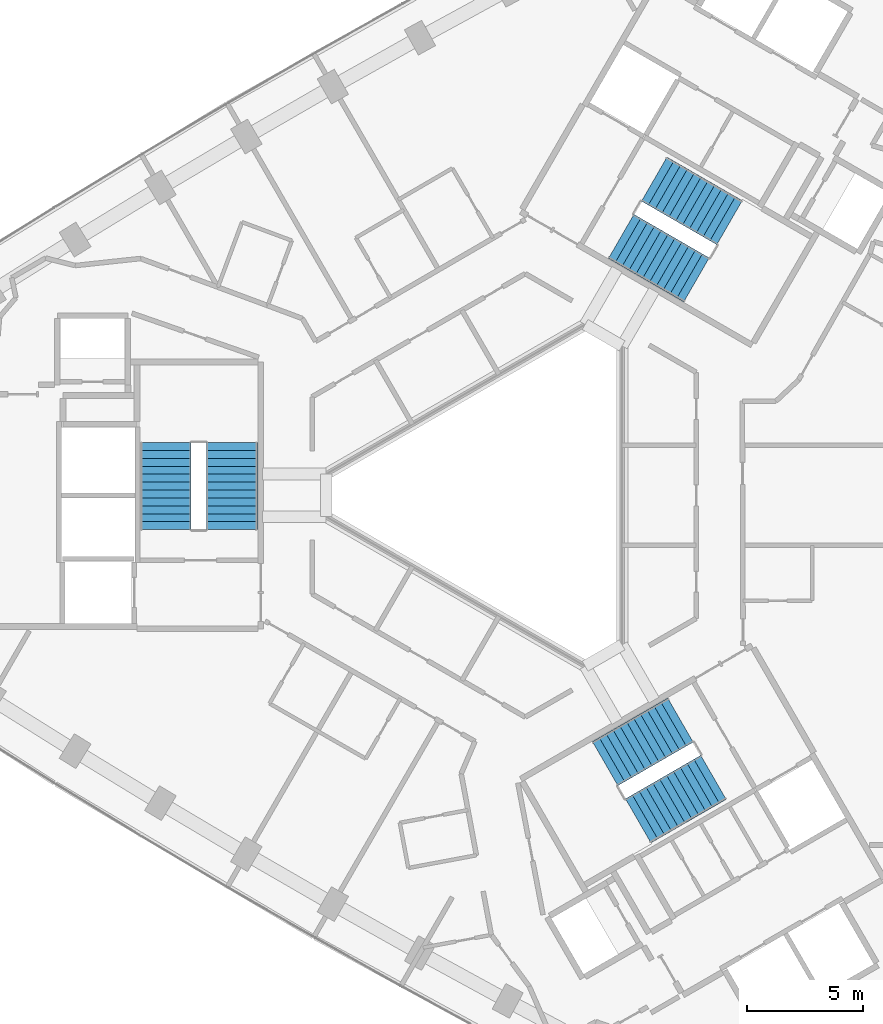
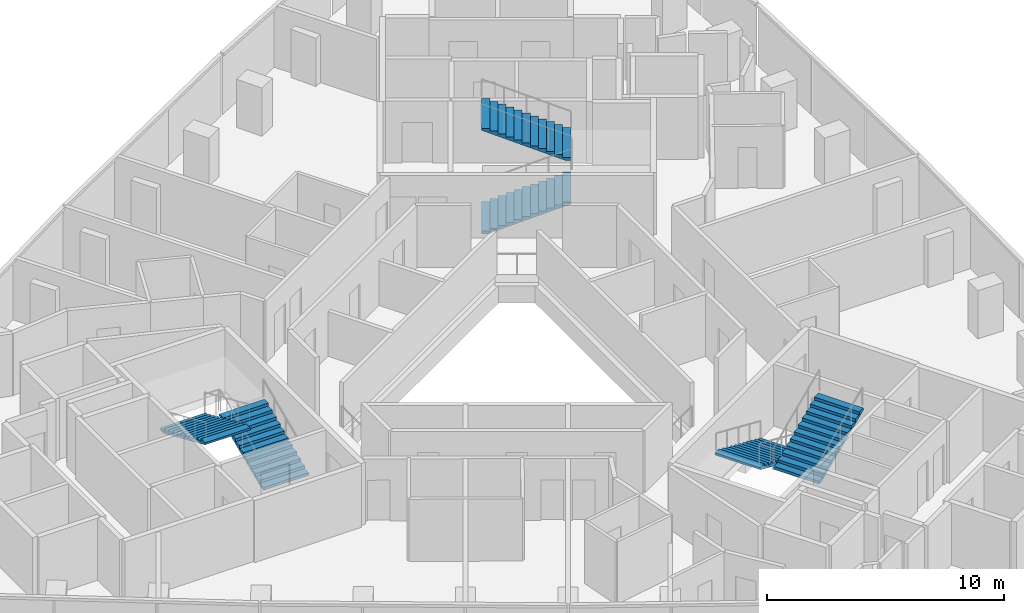
# One storey, part 12 of 13: 6 stair flights, 3 elements without a shape of their own.
"""IFC4 building model written with IfcOpenShell, lengths in metres."""

from ifc_helpers import new_model, si_unit, direction, frame, origin, place, context, subcontext, project, spatial, polyline, outline, extrude, material, type_object, element, aggregate, save


model = new_model("IFC4")

# Units and contexts
model_context = context("Model", 3, precision=1e-05, world=origin(), true_north=direction((0.0, 1.0)))
body_context = subcontext(model_context, "Body", "Model", "MODEL_VIEW")
ifc_project = project(units=[si_unit("LENGTHUNIT", "METRE"), si_unit("AREAUNIT", "SQUARE_METRE"), si_unit("VOLUMEUNIT", "CUBIC_METRE"), si_unit("PLANEANGLEUNIT", "RADIAN"), si_unit("MASSUNIT", "GRAM", prefix="KILO")], contexts=[model_context])

# Site, building, storey
site_placement = place(None, origin())
site = spatial("IfcSite", under=ifc_project, at=site_placement, CompositionType="ELEMENT")
building_placement = place(site_placement, origin())
building = spatial("IfcBuilding", under=site, at=building_placement, Name="Tamra Quay Hotel Tower", CompositionType="ELEMENT")
storey_placement = place(building_placement, frame((0.0, 0.0, 161.199951171875)))
storey = spatial("IfcBuildingStorey", under=building, at=storey_placement, Name="L40", CompositionType="ELEMENT", Elevation=161.199951171875)

# Stair, stair flights
ifc_material_1 = material(Name="Exit stair 2200 24 risers 150.0 going 342")
stair_type = type_object("IfcStairType", Name="Exit stair 2200 24 risers 150.0 going 342", PredefinedType="HALF_TURN_STAIR", material=ifc_material_1)
stair_1_placement = place(storey_placement, origin())
stair_1 = element("IfcStair", 1, at=stair_1_placement, inside=storey, type_object=stair_type, Name="L40 Exit stair ST3", PredefinedType="HALF_TURN_STAIR")
ifc_material_2 = material(Name="Exit stair flight 2200 12 risers 150.0")
stair_flight_type = type_object("IfcStairFlightType", Name="Exit stair flight 2200 12 risers 150.0", PredefinedType="STRAIGHT", material=ifc_material_2)
stair_flight_1_placement = place(storey_placement, frame((-12.082275390625, -1.47998046875, 0.0), z_axis=(0.0, 0.0, 1.0), x_axis=(0.0, 1.0, 0.0)))
stair_flight_1 = element("IfcStairFlight", 2, at=stair_flight_1_placement, type_object=stair_flight_type, Name="ST3 flight 1", NumberOfRisers=12, NumberOfTreads=11, PredefinedType="STRAIGHT", RiserHeight=0.15, TreadLength=0.342, context=body_context, shape_type="SweptSolid", body=[
    extrude(outline(polyline([(0.0, 0.0), (0.0, 0.14990234375), (0.342041015625, 0.14990234375), (0.342041015625, 0.300048828125), (0.68408203125, 0.300048828125), (0.68408203125, 0.449951171875), (1.02587890625, 0.449951171875), (1.02587890625, 0.60009765625), (1.367919921875, 0.60009765625), (1.367919921875, 0.75), (1.7099609375, 0.75), (1.7099609375, 0.89990234375), (2.052001953125, 0.89990234375), (2.052001953125, 1.050048828125), (2.39404296875, 1.050048828125), (2.39404296875, 1.199951171875), (2.736083984375, 1.199951171875), (2.736083984375, 1.35009765625), (3.077880859375, 1.35009765625), (3.077880859375, 1.5), (3.419921875, 1.5), (3.419921875, 1.64990234375), (3.761962890625, 1.64990234375), (3.761962890625, 1.800048828125), (3.761962890625, 1.540771484375), (0.249267578125, 0.0), (0.0, 0.0)])), frame((0.0, 1.10009765625, 0.0), z_axis=(0.0, -1.0, 0.0), x_axis=(1.0, 0.0, 0.0)), (0.0, 0.0, 1.0), 2.199951171875),
])
stair_flight_2_placement = place(storey_placement, frame((-14.94140625, 2.281982421875, 1.800048828125), z_axis=(0.0, 0.0, 1.0), x_axis=(0.0, -1.0, 0.0)))
stair_flight_2 = element("IfcStairFlight", 3, at=stair_flight_2_placement, type_object=stair_flight_type, Name="ST3 flight 2", NumberOfRisers=12, NumberOfTreads=11, PredefinedType="STRAIGHT", RiserHeight=0.15, TreadLength=0.342, context=body_context, shape_type="SweptSolid", body=[
    extrude(outline(polyline([(0.0, 0.0), (0.0, 0.14990234375), (0.342041015625, 0.14990234375), (0.342041015625, 0.300048828125), (0.68408203125, 0.300048828125), (0.68408203125, 0.449951171875), (1.02587890625, 0.449951171875), (1.02587890625, 0.60009765625), (1.367919921875, 0.60009765625), (1.367919921875, 0.75), (1.7099609375, 0.75), (1.7099609375, 0.89990234375), (2.052001953125, 0.89990234375), (2.052001953125, 1.050048828125), (2.39404296875, 1.050048828125), (2.39404296875, 1.199951171875), (2.736083984375, 1.199951171875), (2.736083984375, 1.35009765625), (3.077880859375, 1.35009765625), (3.077880859375, 1.5), (3.419921875, 1.5), (3.419921875, 1.64990234375), (3.761962890625, 1.64990234375), (3.761962890625, 1.800048828125), (3.761962890625, 1.540771484375), (0.249267578125, 0.0), (0.0, 0.0)])), frame((0.0, 1.10009765625, 0.0), z_axis=(0.0, -1.0, 0.0), x_axis=(1.0, 0.0, 0.0)), (0.0, 0.0, 1.0), 2.199951171875),
])
aggregate(stair_1, [stair_flight_1, stair_flight_2])

stair_2_placement = place(storey_placement, origin())
stair_2 = element("IfcStair", 4, at=stair_2_placement, inside=storey, type_object=stair_type, Name="L40 Exit stair ST1", PredefinedType="HALF_TURN_STAIR")
stair_flight_3_placement = place(storey_placement, frame((4.75927734375, 11.20361328125, 0.0), z_axis=(0.0, 0.0, 1.0), x_axis=(0.866025403784, -0.5, 0.0)))
stair_flight_3 = element("IfcStairFlight", 5, at=stair_flight_3_placement, type_object=stair_flight_type, Name="ST1 flight 1", NumberOfRisers=12, NumberOfTreads=11, PredefinedType="STRAIGHT", RiserHeight=0.15, TreadLength=0.342, context=body_context, shape_type="SweptSolid", body=[
    extrude(outline(polyline([(0.0, 0.0), (0.0, 0.14990234375), (0.342041015625, 0.14990234375), (0.342041015625, 0.300048828125), (0.68408203125, 0.300048828125), (0.68408203125, 0.449951171875), (1.02587890625, 0.449951171875), (1.02587890625, 0.60009765625), (1.367919921875, 0.60009765625), (1.367919921875, 0.75), (1.7099609375, 0.75), (1.7099609375, 0.89990234375), (2.052001953125, 0.89990234375), (2.052001953125, 1.050048828125), (2.39404296875, 1.050048828125), (2.39404296875, 1.199951171875), (2.736083984375, 1.199951171875), (2.736083984375, 1.35009765625), (3.077880859375, 1.35009765625), (3.077880859375, 1.5), (3.419921875, 1.5), (3.419921875, 1.64990234375), (3.761962890625, 1.64990234375), (3.761962890625, 1.800048828125), (3.761962890625, 1.540771484375), (0.249267578125, 0.0), (0.0, 0.0)])), frame((0.0, 1.10009765625, 0.0), z_axis=(0.0, -1.0, 0.0), x_axis=(1.0, 0.0, 0.0)), (0.0, 0.0, 1.0), 2.199951171875),
])
stair_flight_4_placement = place(storey_placement, frame((9.44677734375, 11.798583984375, 1.800048828125), z_axis=(0.0, 0.0, 1.0), x_axis=(-0.866025403784, 0.5, 0.0)))
stair_flight_4 = element("IfcStairFlight", 6, at=stair_flight_4_placement, type_object=stair_flight_type, Name="ST1 flight 2", NumberOfRisers=12, NumberOfTreads=11, PredefinedType="STRAIGHT", RiserHeight=0.15, TreadLength=0.342, context=body_context, shape_type="SweptSolid", body=[
    extrude(outline(polyline([(0.0, 0.0), (0.0, 0.14990234375), (0.342041015625, 0.14990234375), (0.342041015625, 0.300048828125), (0.68408203125, 0.300048828125), (0.68408203125, 0.449951171875), (1.02587890625, 0.449951171875), (1.02587890625, 0.60009765625), (1.367919921875, 0.60009765625), (1.367919921875, 0.75), (1.7099609375, 0.75), (1.7099609375, 0.89990234375), (2.052001953125, 0.89990234375), (2.052001953125, 1.050048828125), (2.39404296875, 1.050048828125), (2.39404296875, 1.199951171875), (2.736083984375, 1.199951171875), (2.736083984375, 1.35009765625), (3.077880859375, 1.35009765625), (3.077880859375, 1.5), (3.419921875, 1.5), (3.419921875, 1.64990234375), (3.761962890625, 1.64990234375), (3.761962890625, 1.800048828125), (3.761962890625, 1.540771484375), (0.249267578125, 0.0), (0.0, 0.0)])), frame((0.0, 1.10009765625, 0.0), z_axis=(0.0, -1.0, 0.0), x_axis=(1.0, 0.0, 0.0)), (0.0, 0.0, 1.0), 2.199951171875),
])
aggregate(stair_2, [stair_flight_3, stair_flight_4])

stair_3_placement = place(storey_placement, origin())
stair_3 = element("IfcStair", 7, at=stair_3_placement, inside=storey, type_object=stair_type, Name="L40 Exit stair ST2", PredefinedType="HALF_TURN_STAIR")
stair_flight_5_placement = place(storey_placement, frame((7.322998046875, -9.7236328125, 0.0), z_axis=(0.0, 0.0, 1.0), x_axis=(-0.866025403784, -0.5, 0.0)))
stair_flight_5 = element("IfcStairFlight", 8, at=stair_flight_5_placement, type_object=stair_flight_type, Name="ST2 flight 1", NumberOfRisers=12, NumberOfTreads=11, PredefinedType="STRAIGHT", RiserHeight=0.15, TreadLength=0.342, context=body_context, shape_type="SweptSolid", body=[
    extrude(outline(polyline([(0.0, 0.0), (0.0, 0.14990234375), (0.342041015625, 0.14990234375), (0.342041015625, 0.300048828125), (0.68408203125, 0.300048828125), (0.68408203125, 0.449951171875), (1.02587890625, 0.449951171875), (1.02587890625, 0.60009765625), (1.367919921875, 0.60009765625), (1.367919921875, 0.75), (1.7099609375, 0.75), (1.7099609375, 0.89990234375), (2.052001953125, 0.89990234375), (2.052001953125, 1.050048828125), (2.39404296875, 1.050048828125), (2.39404296875, 1.199951171875), (2.736083984375, 1.199951171875), (2.736083984375, 1.35009765625), (3.077880859375, 1.35009765625), (3.077880859375, 1.5), (3.419921875, 1.5), (3.419921875, 1.64990234375), (3.761962890625, 1.64990234375), (3.761962890625, 1.800048828125), (3.761962890625, 1.540771484375), (0.249267578125, 0.0), (0.0, 0.0)])), frame((0.0, 1.10009765625, 0.0), z_axis=(0.0, -1.0, 0.0), x_axis=(1.0, 0.0, 0.0)), (0.0, 0.0, 1.0), 2.199951171875),
])
stair_flight_6_placement = place(storey_placement, frame((5.494384765625, -14.08056640625, 1.800048828125), z_axis=(0.0, 0.0, 1.0), x_axis=(0.866025403784, 0.5, 0.0)))
stair_flight_6 = element("IfcStairFlight", 9, at=stair_flight_6_placement, type_object=stair_flight_type, Name="ST2 flight 2", NumberOfRisers=12, NumberOfTreads=11, PredefinedType="STRAIGHT", RiserHeight=0.15, TreadLength=0.342, context=body_context, shape_type="SweptSolid", body=[
    extrude(outline(polyline([(0.0, 0.0), (0.0, 0.14990234375), (0.342041015625, 0.14990234375), (0.342041015625, 0.300048828125), (0.68408203125, 0.300048828125), (0.68408203125, 0.449951171875), (1.02587890625, 0.449951171875), (1.02587890625, 0.60009765625), (1.367919921875, 0.60009765625), (1.367919921875, 0.75), (1.7099609375, 0.75), (1.7099609375, 0.89990234375), (2.052001953125, 0.89990234375), (2.052001953125, 1.050048828125), (2.39404296875, 1.050048828125), (2.39404296875, 1.199951171875), (2.736083984375, 1.199951171875), (2.736083984375, 1.35009765625), (3.077880859375, 1.35009765625), (3.077880859375, 1.5), (3.419921875, 1.5), (3.419921875, 1.64990234375), (3.761962890625, 1.64990234375), (3.761962890625, 1.800048828125), (3.761962890625, 1.540771484375), (0.249267578125, 0.0), (0.0, 0.0)])), frame((0.0, 1.10009765625, 0.0), z_axis=(0.0, -1.0, 0.0), x_axis=(1.0, 0.0, 0.0)), (0.0, 0.0, 1.0), 2.199951171875),
])
aggregate(stair_3, [stair_flight_5, stair_flight_6])

save(model, "model.ifc")
